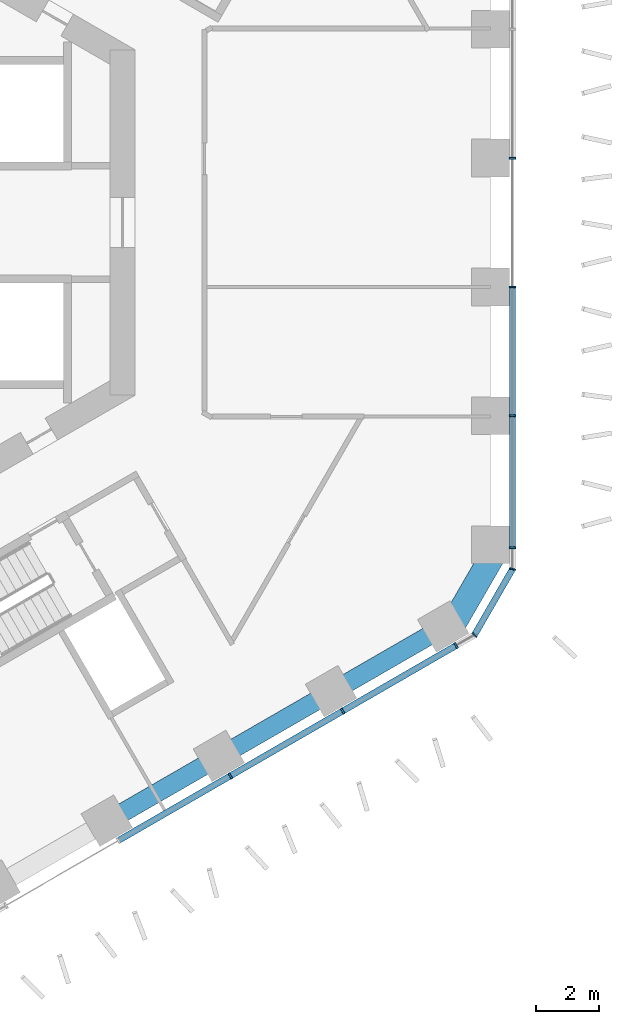
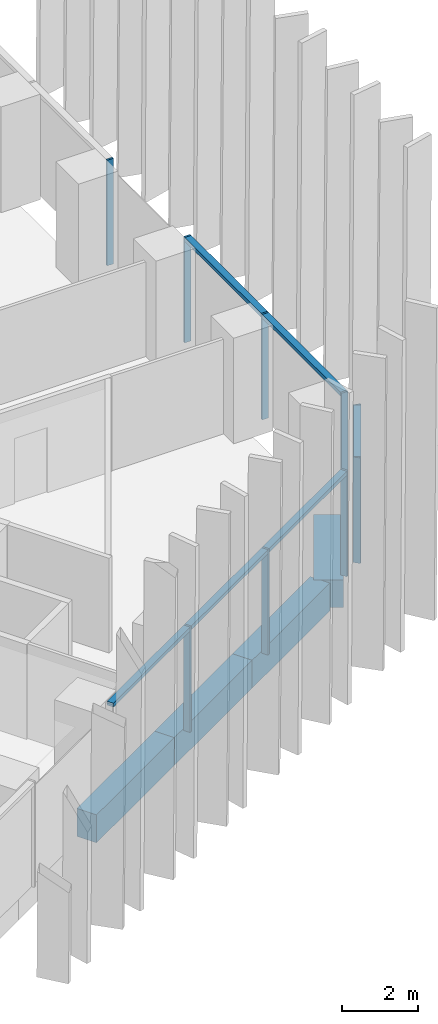
# One storey, part 4 of 18: 12 members, 4 beams, 3 elements without a shape of their own.
"""IFC4 building model written with IfcOpenShell, lengths in metres."""

from ifc_helpers import new_model, si_unit, direction, frame, origin, origin_2d, place, context, subcontext, project, spatial, rectangle, extrude, material, layer, layer_set, material_profile, profile_set, type_object, element, aggregate, save


model = new_model("IFC4")

# Units and contexts
model_context = context("Model", 3, precision=1e-05, world=origin(), true_north=direction((0.0, 1.0)))
body_context = subcontext(model_context, "Body", "Model", "MODEL_VIEW")
ifc_project = project(units=[si_unit("LENGTHUNIT", "METRE"), si_unit("AREAUNIT", "SQUARE_METRE"), si_unit("VOLUMEUNIT", "CUBIC_METRE"), si_unit("PLANEANGLEUNIT", "RADIAN"), si_unit("MASSUNIT", "GRAM", prefix="KILO")], contexts=[model_context])

# Site, building, storey
site_placement = place(None, origin())
site = spatial("IfcSite", under=ifc_project, at=site_placement, CompositionType="ELEMENT")
building_placement = place(site_placement, origin())
building = spatial("IfcBuilding", under=site, at=building_placement, Name="Ayvan Gate Tower", CompositionType="ELEMENT")
storey_placement = place(building_placement, frame((0.0, 0.0, 25.5)))
storey = spatial("IfcBuildingStorey", under=building, at=storey_placement, Name="L05", CompositionType="ELEMENT", Elevation=25.5)

# Beams
ifc_material_1 = material(Name="Concrete C40/50", Category="concrete")
ifc_material_profile_1 = material_profile(ifc_material_1, rectangle(XDim=0.800048828125, YDim=0.89990234375, at=origin_2d()), Name="RC 800x900")
ifc_profile_set_1 = profile_set([ifc_material_profile_1], Name="Concrete C40/50")
beam_type_1 = type_object("IfcBeamType", Name="Corner spandrel beam RC 800x900 C40/50", PredefinedType="BEAM", material=ifc_profile_set_1)
beam_placement = place(storey_placement, frame((19.47509765625, -12.97607421875, -0.800048828125), z_axis=(0.499990139034, 0.866031096941, 0.0), x_axis=(-0.866031096941, 0.499990139034, 0.0)))
element("IfcBeam", 1, at=beam_placement, inside=storey, type_object=beam_type_1, Name="SB-L05-36", PredefinedType="BEAM", context=body_context, shape_type="SweptSolid", body=[
    extrude(rectangle(XDim=0.800048828125, YDim=0.89990234375, at=origin_2d()), origin(), (0.0, 0.0, 1.0), 3.0),
])
ifc_material_profile_2 = material_profile(ifc_material_1, rectangle(XDim=0.60009765625, YDim=0.89990234375, at=origin_2d()), Name="RC 600x900")
ifc_profile_set_2 = profile_set([ifc_material_profile_2], Name="Concrete C40/50")
beam_type_2 = type_object("IfcBeamType", Name="Spandrel beam RC 600x900 C40/50", PredefinedType="BEAM", material=ifc_profile_set_2)
for number, where, z_axis, x_axis, name in (
    (2, (8.61376953125, -19.02685546875, -0.800048828125), (0.866010373586, 0.500026032164, 0.0), (-0.500026032164, 0.866010373586, 0.0), "SB-L05-33"),
    (3, (12.170654296875, -16.97314453125, -0.800048828125), (0.866050971923, 0.499955712069, 0.0), (-0.499955712069, 0.866050971923, 0.0), "SB-L05-34"),
    (4, (15.727783203125, -14.919677734375, -0.800048828125), (0.866010373586, 0.500026032164, 0.0), (-0.500026032164, 0.866010373586, 0.0), "SB-L05-35"),
):
    element("IfcBeam", number, at=place(storey_placement, frame(where, z_axis=z_axis, x_axis=x_axis)), inside=storey, type_object=beam_type_2, Name=name, PredefinedType="BEAM", context=body_context, shape_type="SweptSolid", body=[
        extrude(rectangle(XDim=0.60009765625, YDim=0.89990234375, at=origin_2d()), origin(), (0.0, 0.0, 1.0), 4.107177734375),
    ])

# Curtain wall, members
ifc_material_2 = material(Name="Bronze anodised aluminium", Category="aluminium")
ifc_layer_1 = layer(ifc_material_2, 0.199951171875)
ifc_layer_set_1 = layer_set([ifc_layer_1], Name="Bronze anodised aluminium")
curtain_wall_type_1 = type_object("IfcCurtainWallType", Name="Stick curtain wall CW-1", PredefinedType="NOTDEFINED", material=ifc_layer_set_1)
curtain_wall_1_placement = place(storey_placement, origin())
curtain_wall_1 = element("IfcCurtainWall", 5, at=curtain_wall_1_placement, inside=storey, type_object=curtain_wall_type_1, Name="Stick curtain wall CW-1 L05", PredefinedType="NOTDEFINED")
ifc_material_profile_3 = material_profile(ifc_material_2, rectangle(XDim=0.199951171875, YDim=0.06005859375, at=origin_2d()), Name="Stick curtain wall CW-1 mullion 200 x 60")
ifc_profile_set_3 = profile_set([ifc_material_profile_3], Name="Bronze anodised aluminium")
member_type_1 = type_object("IfcMemberType", Name="Stick curtain wall CW-1 mullion 200 x 60", PredefinedType="MULLION", material=ifc_profile_set_3)
member_1_placement = place(storey_placement, frame((12.523681640625, -17.577880859375, 0.0), z_axis=(0.0, 0.0, 1.0), x_axis=(0.5, -0.866025403784, 0.0)))
member_1 = element("IfcMember", 6, at=member_1_placement, type_object=member_type_1, Name="CW-1 mullion 4", PredefinedType="MULLION", context=body_context, shape_type="SweptSolid", body=[
    extrude(rectangle(XDim=0.199951171875, YDim=0.06005859375, at=origin_2d()), origin(), (0.0, 0.0, 1.0), 3.39990234375),
])
member_2_placement = place(storey_placement, frame((16.08642578125, -15.520751953125, 0.0), z_axis=(0.0, 0.0, 1.0), x_axis=(0.5, -0.866025403784, 0.0)))
member_2 = element("IfcMember", 7, at=member_2_placement, type_object=member_type_1, Name="CW-1 mullion 5", PredefinedType="MULLION", context=body_context, shape_type="SweptSolid", body=[
    extrude(rectangle(XDim=0.199951171875, YDim=0.06005859375, at=origin_2d()), origin(), (0.0, 0.0, 1.0), 3.39990234375),
])
member_3_placement = place(storey_placement, frame((19.6884765625, -13.441162109375, 0.0), z_axis=(0.0, 0.0, 1.0), x_axis=(0.5, -0.866025403784, 0.0)))
member_3 = element("IfcMember", 8, at=member_3_placement, type_object=member_type_1, Name="CW-1 mullion 6", PredefinedType="MULLION", context=body_context, shape_type="SweptSolid", body=[
    extrude(rectangle(XDim=0.199951171875, YDim=0.06005859375, at=origin_2d()), origin(), (0.0, 0.0, 1.0), 3.39990234375),
])

curtain_wall_2_placement = place(storey_placement, origin())
curtain_wall_2 = element("IfcCurtainWall", 9, at=curtain_wall_2_placement, inside=storey, type_object=curtain_wall_type_1, Name="Stick curtain wall CW-1 L05", PredefinedType="NOTDEFINED")
member_4_placement = place(storey_placement, frame((21.484619140625, -10.330078125, 0.0), z_axis=(0.0, 0.0, 1.0), x_axis=(1.0, 0.0, 0.0)))
member_4 = element("IfcMember", 10, at=member_4_placement, type_object=member_type_1, Name="CW-1 mullion 1", PredefinedType="MULLION", context=body_context, shape_type="SweptSolid", body=[
    extrude(rectangle(XDim=0.199951171875, YDim=0.06005859375, at=origin_2d()), origin(), (0.0, 0.0, 1.0), 3.39990234375),
])
member_5_placement = place(storey_placement, frame((21.484619140625, -6.14013671875, 0.0), z_axis=(0.0, 0.0, 1.0), x_axis=(1.0, 0.0, 0.0)))
member_5 = element("IfcMember", 11, at=member_5_placement, type_object=member_type_1, Name="CW-1 mullion 2", PredefinedType="MULLION", context=body_context, shape_type="SweptSolid", body=[
    extrude(rectangle(XDim=0.199951171875, YDim=0.06005859375, at=origin_2d()), origin(), (0.0, 0.0, 1.0), 3.39990234375),
])
member_6_placement = place(storey_placement, frame((21.484619140625, -2.047119140625, 0.0), z_axis=(0.0, 0.0, 1.0), x_axis=(1.0, 0.0, 0.0)))
member_6 = element("IfcMember", 12, at=member_6_placement, type_object=member_type_1, Name="CW-1 mullion 3", PredefinedType="MULLION", context=body_context, shape_type="SweptSolid", body=[
    extrude(rectangle(XDim=0.199951171875, YDim=0.06005859375, at=origin_2d()), origin(), (0.0, 0.0, 1.0), 3.39990234375),
])
member_7_placement = place(storey_placement, frame((21.484619140625, 2.046875, 0.0), z_axis=(0.0, 0.0, 1.0), x_axis=(1.0, 0.0, 0.0)))
member_7 = element("IfcMember", 13, at=member_7_placement, type_object=member_type_1, Name="CW-1 mullion 4", PredefinedType="MULLION", context=body_context, shape_type="SweptSolid", body=[
    extrude(rectangle(XDim=0.199951171875, YDim=0.06005859375, at=origin_2d()), origin(), (0.0, 0.0, 1.0), 3.39990234375),
])

# Member
ifc_material_profile_4 = material_profile(ifc_material_2, rectangle(XDim=0.199951171875, YDim=0.1201171875, at=origin_2d()), Name="Stick curtain wall CW-1 transom 200 x 120")
ifc_profile_set_4 = profile_set([ifc_material_profile_4], Name="Bronze anodised aluminium")
member_type_2 = type_object("IfcMemberType", Name="Stick curtain wall CW-1 transom 200 x 120", PredefinedType="USERDEFINED", material=ifc_profile_set_4)
member_8_placement = place(storey_placement, frame((8.98681640625, -19.619873046875, 3.340087890625), z_axis=(0.866021739666, 0.500006346386, 0.0), x_axis=(-0.500006346386, 0.866021739666, 0.0)))
member_8 = element("IfcMember", 14, at=member_8_placement, type_object=member_type_2, Name="CW-1 transom 2", ObjectType="TRANSOM", PredefinedType="USERDEFINED", context=body_context, shape_type="SweptSolid", body=[
    extrude(rectangle(XDim=0.199951171875, YDim=0.1201171875, at=origin_2d()), origin(), (0.0, 0.0, 1.0), 12.357177734375),
])

aggregate(curtain_wall_1, [member_1, member_2, member_3, member_8])

member_9_placement = place(storey_placement, frame((21.484619140625, -10.330078125, 3.340087890625), z_axis=(0.0, 1.0, 0.0), x_axis=(-1.0, 0.0, 0.0)))
member_9 = element("IfcMember", 15, at=member_9_placement, type_object=member_type_2, Name="CW-1 transom 1", ObjectType="TRANSOM", PredefinedType="USERDEFINED", context=body_context, shape_type="SweptSolid", body=[
    extrude(rectangle(XDim=0.199951171875, YDim=0.1201171875, at=origin_2d()), origin(), (0.0, 0.0, 1.0), 8.2529296875),
])

aggregate(curtain_wall_2, [member_4, member_5, member_6, member_7, member_9])

# Curtain wall, members
ifc_layer_2 = layer(ifc_material_2, 0.199951171875)
ifc_layer_set_2 = layer_set([ifc_layer_2], Name="Bronze anodised aluminium")
curtain_wall_type_2 = type_object("IfcCurtainWallType", Name="Stick curtain wall CW-6", PredefinedType="NOTDEFINED", material=ifc_layer_set_2)
curtain_wall_3_placement = place(storey_placement, origin())
curtain_wall_3 = element("IfcCurtainWall", 16, at=curtain_wall_3_placement, inside=storey, type_object=curtain_wall_type_2, Name="Stick curtain wall CW-6 L05", PredefinedType="NOTDEFINED")
ifc_material_profile_5 = material_profile(ifc_material_2, rectangle(XDim=0.199951171875, YDim=0.050048828125, at=origin_2d()), Name="Stick curtain wall CW-6 mullion 200 x 50")
ifc_profile_set_5 = profile_set([ifc_material_profile_5], Name="Bronze anodised aluminium")
member_type_3 = type_object("IfcMemberType", Name="Stick curtain wall CW-6 mullion 200 x 50", PredefinedType="MULLION", material=ifc_profile_set_5)
member_10_placement = place(storey_placement, frame((20.27734375, -13.10107421875, 0.0), z_axis=(0.0, 0.0, 1.0), x_axis=(0.707106781187, -0.707106781187, 0.0)))
member_10 = element("IfcMember", 17, at=member_10_placement, type_object=member_type_3, Name="CW-6 mullion 2", PredefinedType="MULLION", context=body_context, shape_type="SweptSolid", body=[
    extrude(rectangle(XDim=0.199951171875, YDim=0.050048828125, at=origin_2d()), origin(), (0.0, 0.0, 1.0), 3.39990234375),
])
member_11_placement = place(storey_placement, frame((21.484619140625, -11.010009765625, 0.0), z_axis=(0.0, 0.0, 1.0), x_axis=(0.965925826289, -0.258819045103, 0.0)))
member_11 = element("IfcMember", 18, at=member_11_placement, type_object=member_type_3, Name="CW-6 mullion 3", PredefinedType="MULLION", context=body_context, shape_type="SweptSolid", body=[
    extrude(rectangle(XDim=0.199951171875, YDim=0.050048828125, at=origin_2d()), origin(), (0.0, 0.0, 1.0), 3.39990234375),
])
ifc_material_profile_6 = material_profile(ifc_material_2, rectangle(XDim=0.199951171875, YDim=0.1201171875, at=origin_2d()), Name="Stick curtain wall CW-6 transom 200 x 120")
ifc_profile_set_6 = profile_set([ifc_material_profile_6], Name="Bronze anodised aluminium")
member_type_4 = type_object("IfcMemberType", Name="Stick curtain wall CW-6 transom 200 x 120", PredefinedType="USERDEFINED", material=ifc_profile_set_6)
member_12_placement = place(storey_placement, frame((20.289794921875, -13.07958984375, 3.340087890625), z_axis=(0.500014398087, 0.866017090885, 0.0), x_axis=(-0.866017090885, 0.500014398087, 0.0)))
member_12 = element("IfcMember", 19, at=member_12_placement, type_object=member_type_4, Name="CW-6 transom 2", ObjectType="TRANSOM", PredefinedType="USERDEFINED", context=body_context, shape_type="SweptSolid", body=[
    extrude(rectangle(XDim=0.199951171875, YDim=0.1201171875, at=origin_2d()), origin(), (0.0, 0.0, 1.0), 2.36474609375),
])
aggregate(curtain_wall_3, [member_10, member_11, member_12])

save(model, "model.ifc")
